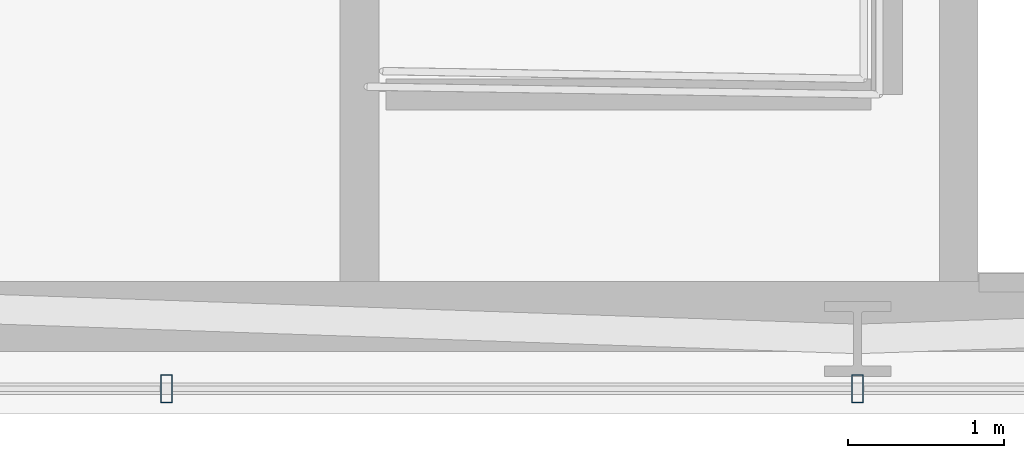
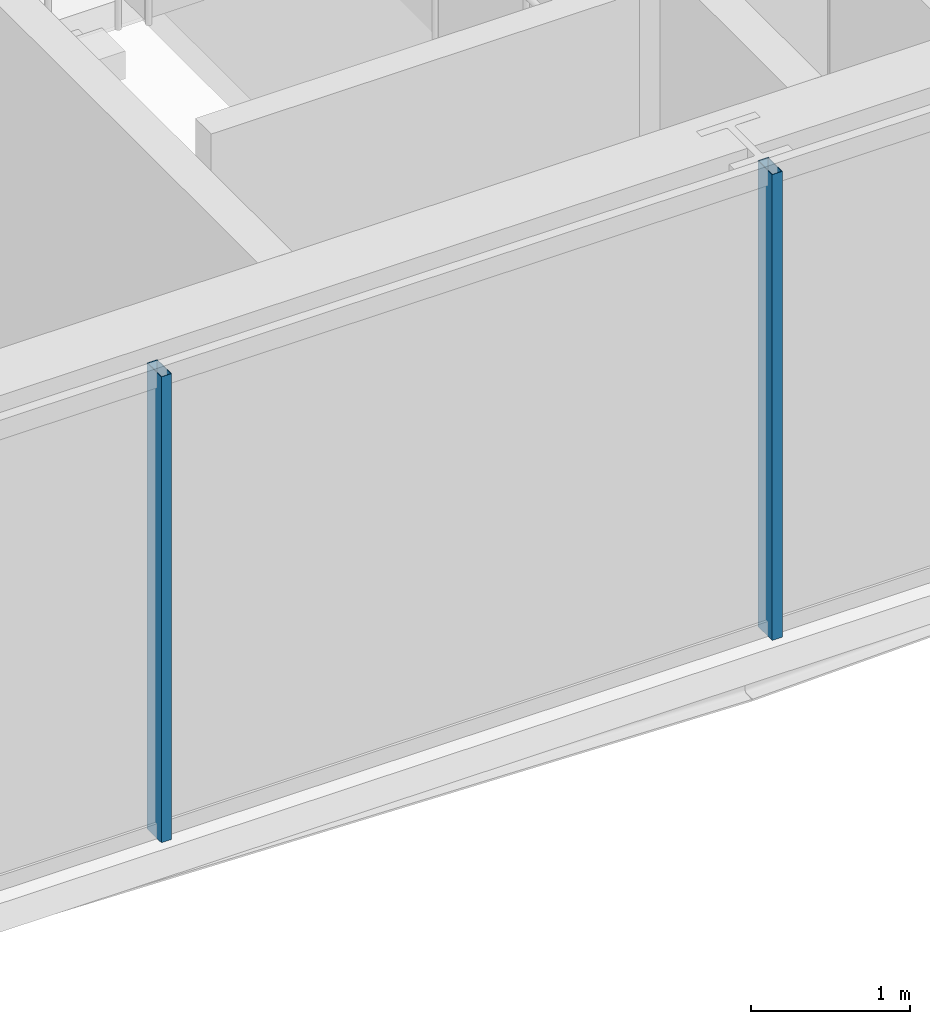
# One storey, part 7 of 31: 2 members, 1 element without a shape of its own.
"""IFC4 building model written with IfcOpenShell, lengths in metres."""

from ifc_helpers import new_model, si_unit, direction, frame, origin, origin_2d, place, context, subcontext, project, spatial, hollow_rectangle, extrude, material, layer, layer_set, material_profile, profile_set, type_object, element, aggregate, save


model = new_model("IFC4")

# Units and contexts
model_context = context("Model", 3, precision=1e-05, world=origin(), true_north=direction((0.0, 1.0)))
body_context = subcontext(model_context, "Body", "Model", "MODEL_VIEW")
ifc_project = project(units=[si_unit("LENGTHUNIT", "METRE"), si_unit("AREAUNIT", "SQUARE_METRE"), si_unit("VOLUMEUNIT", "CUBIC_METRE"), si_unit("PLANEANGLEUNIT", "RADIAN"), si_unit("MASSUNIT", "GRAM", prefix="KILO")], contexts=[model_context])

# Site, building, storey
site_placement = place(None, origin())
site = spatial("IfcSite", under=ifc_project, at=site_placement, CompositionType="ELEMENT")
building_placement = place(site_placement, origin())
building = spatial("IfcBuilding", under=site, at=building_placement, Name="Ndaravel Arena Tower", CompositionType="ELEMENT")
storey_placement = place(building_placement, frame((0.0, 0.0, 146.0)))
storey = spatial("IfcBuildingStorey", under=building, at=storey_placement, Name="L34", CompositionType="ELEMENT", Elevation=146.0)

# Curtain wall, members
ifc_material_1 = material(Name="Aluminium", Category="aluminium")
ifc_layer = layer(ifc_material_1, 0.179931640625)
ifc_layer_set = layer_set([ifc_layer], Name="Aluminium")
curtain_wall_type = type_object("IfcCurtainWallType", Name="CW-SYS-03", PredefinedType="NOTDEFINED", material=ifc_layer_set)
curtain_wall_placement = place(storey_placement, origin())
curtain_wall = element("IfcCurtainWall", 1, at=curtain_wall_placement, inside=storey, type_object=curtain_wall_type, Name="L34 Faceted Crystal Curtain Wall CW-L34-E01", PredefinedType="NOTDEFINED")
ifc_material_2 = material(Name="Aluminium", Category="aluminium")
ifc_material_profile = material_profile(ifc_material_2, hollow_rectangle(XDim=0.074951171875, YDim=0.179931640625, WallThickness=0.00390625, at=origin_2d()), Name="CW MULLION 75x180x4")
ifc_profile_set = profile_set([ifc_material_profile], Name="Aluminium")
member_type = type_object("IfcMemberType", Name="MEM-CW-MUL180", PredefinedType="MULLION", material=ifc_profile_set)
member_1_placement = place(storey_placement, frame((37.56005859375, 5.159912109375, 0.0), z_axis=(0.0, 0.0, 1.0), x_axis=(1.0, 0.0, 0.0)))
member_1 = element("IfcMember", 2, at=member_1_placement, type_object=member_type, Name="CW-L34-E01 Mullion 03", PredefinedType="MULLION", context=body_context, shape_type="SweptSolid", body=[
    extrude(hollow_rectangle(XDim=0.074951171875, YDim=0.179931640625, WallThickness=0.00390625, at=origin_2d()), origin(), (0.0, 0.0, 1.0), 3.580078125),
])
member_2_placement = place(storey_placement, frame((42.0, 5.159912109375, 0.0), z_axis=(0.0, 0.0, 1.0), x_axis=(1.0, 0.0, 0.0)))
member_2 = element("IfcMember", 3, at=member_2_placement, type_object=member_type, Name="CW-L34-E01 Mullion 04", PredefinedType="MULLION", context=body_context, shape_type="SweptSolid", body=[
    extrude(hollow_rectangle(XDim=0.074951171875, YDim=0.179931640625, WallThickness=0.00390625, at=origin_2d()), origin(), (0.0, 0.0, 1.0), 3.580078125),
])
aggregate(curtain_wall, [member_1, member_2])

save(model, "model.ifc")
